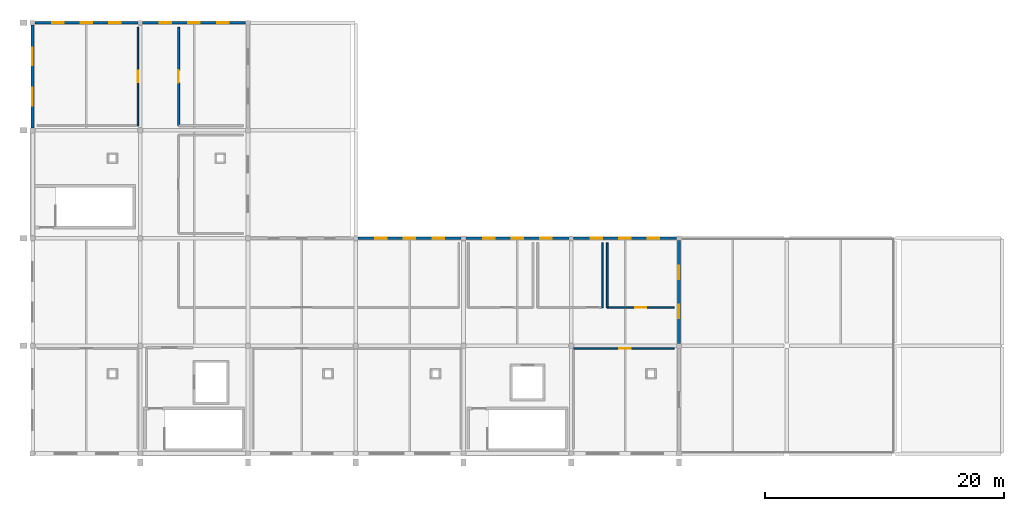
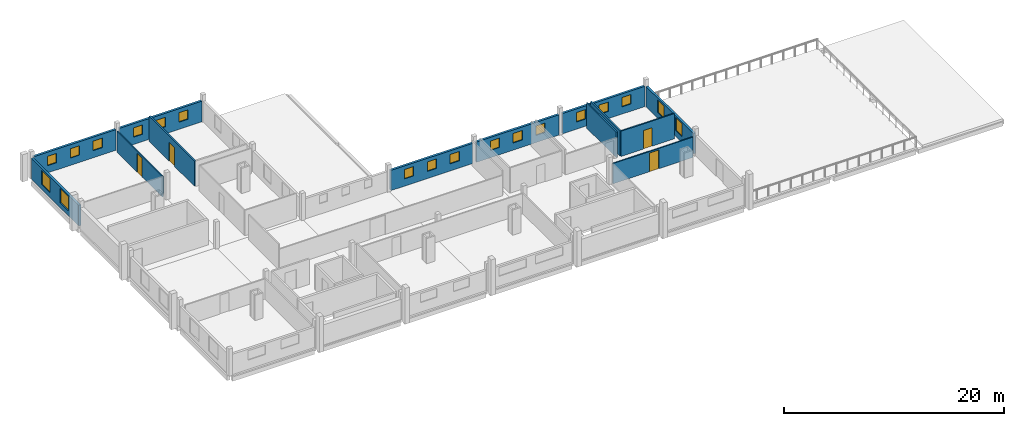
# One storey, part 4 of 6: 19 windows, 13 walls, 4 doors, 23 openings.
"""IFC4 building model written with IfcOpenShell, lengths in metres."""

from ifc_helpers import new_model, si_unit, direction, frame, frame_2d, origin, place, context, subcontext, project, spatial, rectangle, extrude, material, layer, layer_set, type_object, element, fill, save


model = new_model("IFC4")

# Units and contexts
model_context = context("Model", 3, precision=1e-05, world=origin(), true_north=direction((0.0, 1.0)))
body_context = subcontext(model_context, "Body", "Model", "MODEL_VIEW")
ifc_project = project(units=[si_unit("LENGTHUNIT", "METRE"), si_unit("AREAUNIT", "SQUARE_METRE"), si_unit("VOLUMEUNIT", "CUBIC_METRE"), si_unit("PLANEANGLEUNIT", "RADIAN"), si_unit("MASSUNIT", "GRAM", prefix="KILO")], contexts=[model_context])

# Site, building, storey
site_placement = place(None, origin())
site = spatial("IfcSite", under=ifc_project, at=site_placement, CompositionType="ELEMENT")
building_placement = place(site_placement, origin())
building = spatial("IfcBuilding", under=site, at=building_placement, Name="Tharagai Park Tramway Depot", CompositionType="ELEMENT")
storey_placement = place(building_placement, frame((0.0, 0.0, 15.0)))
storey = spatial("IfcBuildingStorey", under=building, at=storey_placement, Name="L04", CompositionType="ELEMENT", Elevation=15.0)

# Wall, openings, windows
ifc_material_1 = material(Name="Pressed clay brick", Category="masonry")
ifc_layer_1 = layer(ifc_material_1, 0.22998046875)
ifc_layer_set_1 = layer_set([ifc_layer_1], Name="Pressed clay brick")
wall_type_1 = type_object("IfcWallType", Name="EW-06", PredefinedType="SOLIDWALL", material=ifc_layer_set_1)
wall_1_placement = place(storey_placement, frame((27.197998046875, 18.0, 0.0), z_axis=(0.0, 0.0, 1.0), x_axis=(1.0, 0.0, 0.0)))
wall_1 = element("IfcWall", 1, at=wall_1_placement, inside=storey, type_object=wall_type_1, Name="L04 V4 Exterior Masonry Wall EW-06", PredefinedType="SOLIDWALL", context=body_context, shape_type="SweptSolid", body=[
    extrude(rectangle(XDim=8.60400390625, YDim=0.22998046875, at=frame_2d((4.302001953125, 0.0))), origin(), (0.0, 0.0, 1.0), 2.241943359375),
])
opening_1_placement = place(wall_1_placement, frame((1.430908203125, 0.0, 0.800048828125)))
opening_1 = element("IfcOpeningElement", 2, at=opening_1_placement, cuts=wall_1, Name="Opening WN-51", PredefinedType="OPENING", context=body_context, shape_type="SweptSolid", body=[
    extrude(rectangle(XDim=0.9599609375, YDim=1.0400390625, at=frame_2d((0.47998046875, 0.52001953125))), frame((0.0, 0.125, 0.0), z_axis=(0.0, -1.0, 0.0), x_axis=(1.0, 0.0, 0.0)), (0.0, 0.0, 1.0), 0.25),
])
opening_2_placement = place(wall_1_placement, frame((3.822021484375, 0.0, 0.800048828125)))
opening_2 = element("IfcOpeningElement", 3, at=opening_2_placement, cuts=wall_1, Name="Opening WN-51", PredefinedType="OPENING", context=body_context, shape_type="SweptSolid", body=[
    extrude(rectangle(XDim=0.9599609375, YDim=1.0400390625, at=frame_2d((0.47998046875, 0.52001953125))), frame((0.0, 0.125, 0.0), z_axis=(0.0, -1.0, 0.0), x_axis=(1.0, 0.0, 0.0)), (0.0, 0.0, 1.0), 0.25),
])
opening_3_placement = place(wall_1_placement, frame((6.212890625, 0.0, 0.800048828125)))
opening_3 = element("IfcOpeningElement", 4, at=opening_3_placement, cuts=wall_1, Name="Opening WN-51", PredefinedType="OPENING", context=body_context, shape_type="SweptSolid", body=[
    extrude(rectangle(XDim=0.9599609375, YDim=1.0400390625, at=frame_2d((0.47998046875, 0.52001953125))), frame((0.0, 0.125, 0.0), z_axis=(0.0, -1.0, 0.0), x_axis=(1.0, 0.0, 0.0)), (0.0, 0.0, 1.0), 0.25),
])
ifc_material_2 = material(Name="Laminated solar-control glass", Category="glass")
window_type_1 = type_object("IfcWindowType", Name="WN-51", PartitioningType="SINGLE_PANEL", PredefinedType="WINDOW", material=ifc_material_2)
window_1_placement = place(opening_1_placement, origin())
window_1 = element("IfcWindow", 5, at=window_1_placement, inside=storey, type_object=window_type_1, Name="L04 V4 Gothic Lancet Window WN-51", OverallHeight=1.0400390625, OverallWidth=0.9599609375, PartitioningType="SINGLE_PANEL", PredefinedType="WINDOW", context=body_context, shape_type="SweptSolid", body=[
    extrude(rectangle(XDim=0.9599609375, YDim=1.0400390625, at=frame_2d((0.47998046875, 0.52001953125))), frame((0.0, 0.030029296875, 0.0), z_axis=(0.0, -1.0, 0.0), x_axis=(1.0, 0.0, 0.0)), (0.0, 0.0, 1.0), 0.06005859375),
])
fill(opening_1, window_1)
window_2_placement = place(opening_2_placement, origin())
window_2 = element("IfcWindow", 6, at=window_2_placement, inside=storey, type_object=window_type_1, Name="L04 V4 Gothic Lancet Window WN-51", OverallHeight=1.0400390625, OverallWidth=0.9599609375, PartitioningType="SINGLE_PANEL", PredefinedType="WINDOW", context=body_context, shape_type="SweptSolid", body=[
    extrude(rectangle(XDim=0.9599609375, YDim=1.0400390625, at=frame_2d((0.47998046875, 0.52001953125))), frame((0.0, 0.030029296875, 0.0), z_axis=(0.0, -1.0, 0.0), x_axis=(1.0, 0.0, 0.0)), (0.0, 0.0, 1.0), 0.06005859375),
])
fill(opening_2, window_2)
window_3_placement = place(opening_3_placement, origin())
window_3 = element("IfcWindow", 7, at=window_3_placement, inside=storey, type_object=window_type_1, Name="L04 V4 Gothic Lancet Window WN-51", OverallHeight=1.0400390625, OverallWidth=0.9599609375, PartitioningType="SINGLE_PANEL", PredefinedType="WINDOW", context=body_context, shape_type="SweptSolid", body=[
    extrude(rectangle(XDim=0.9599609375, YDim=1.0400390625, at=frame_2d((0.47998046875, 0.52001953125))), frame((0.0, 0.030029296875, 0.0), z_axis=(0.0, -1.0, 0.0), x_axis=(1.0, 0.0, 0.0)), (0.0, 0.0, 1.0), 0.06005859375),
])
fill(opening_3, window_3)

wall_2_placement = place(storey_placement, frame((36.197998046875, 18.0, 0.0), z_axis=(0.0, 0.0, 1.0), x_axis=(1.0, 0.0, 0.0)))
wall_2 = element("IfcWall", 8, at=wall_2_placement, inside=storey, type_object=wall_type_1, Name="L04 V4 Exterior Masonry Wall EW-06", PredefinedType="SOLIDWALL", context=body_context, shape_type="SweptSolid", body=[
    extrude(rectangle(XDim=8.60400390625, YDim=0.22998046875, at=frame_2d((4.302001953125, 0.0))), origin(), (0.0, 0.0, 1.0), 2.241943359375),
])
opening_4_placement = place(wall_2_placement, frame((1.430908203125, 0.0, 0.800048828125)))
opening_4 = element("IfcOpeningElement", 9, at=opening_4_placement, cuts=wall_2, Name="Opening WN-51", PredefinedType="OPENING", context=body_context, shape_type="SweptSolid", body=[
    extrude(rectangle(XDim=0.9599609375, YDim=1.0400390625, at=frame_2d((0.47998046875, 0.52001953125))), frame((0.0, 0.125, 0.0), z_axis=(0.0, -1.0, 0.0), x_axis=(1.0, 0.0, 0.0)), (0.0, 0.0, 1.0), 0.25),
])
opening_5_placement = place(wall_2_placement, frame((3.822021484375, 0.0, 0.800048828125)))
opening_5 = element("IfcOpeningElement", 10, at=opening_5_placement, cuts=wall_2, Name="Opening WN-51", PredefinedType="OPENING", context=body_context, shape_type="SweptSolid", body=[
    extrude(rectangle(XDim=0.9599609375, YDim=1.0400390625, at=frame_2d((0.47998046875, 0.52001953125))), frame((0.0, 0.125, 0.0), z_axis=(0.0, -1.0, 0.0), x_axis=(1.0, 0.0, 0.0)), (0.0, 0.0, 1.0), 0.25),
])
opening_6_placement = place(wall_2_placement, frame((6.212890625, 0.0, 0.800048828125)))
opening_6 = element("IfcOpeningElement", 11, at=opening_6_placement, cuts=wall_2, Name="Opening WN-51", PredefinedType="OPENING", context=body_context, shape_type="SweptSolid", body=[
    extrude(rectangle(XDim=0.9599609375, YDim=1.0400390625, at=frame_2d((0.47998046875, 0.52001953125))), frame((0.0, 0.125, 0.0), z_axis=(0.0, -1.0, 0.0), x_axis=(1.0, 0.0, 0.0)), (0.0, 0.0, 1.0), 0.25),
])
window_4_placement = place(opening_4_placement, origin())
window_4 = element("IfcWindow", 12, at=window_4_placement, inside=storey, type_object=window_type_1, Name="L04 V4 Gothic Lancet Window WN-51", OverallHeight=1.0400390625, OverallWidth=0.9599609375, PartitioningType="SINGLE_PANEL", PredefinedType="WINDOW", context=body_context, shape_type="SweptSolid", body=[
    extrude(rectangle(XDim=0.9599609375, YDim=1.0400390625, at=frame_2d((0.47998046875, 0.52001953125))), frame((0.0, 0.030029296875, 0.0), z_axis=(0.0, -1.0, 0.0), x_axis=(1.0, 0.0, 0.0)), (0.0, 0.0, 1.0), 0.06005859375),
])
fill(opening_4, window_4)
window_5_placement = place(opening_5_placement, origin())
window_5 = element("IfcWindow", 13, at=window_5_placement, inside=storey, type_object=window_type_1, Name="L04 V4 Gothic Lancet Window WN-51", OverallHeight=1.0400390625, OverallWidth=0.9599609375, PartitioningType="SINGLE_PANEL", PredefinedType="WINDOW", context=body_context, shape_type="SweptSolid", body=[
    extrude(rectangle(XDim=0.9599609375, YDim=1.0400390625, at=frame_2d((0.47998046875, 0.52001953125))), frame((0.0, 0.030029296875, 0.0), z_axis=(0.0, -1.0, 0.0), x_axis=(1.0, 0.0, 0.0)), (0.0, 0.0, 1.0), 0.06005859375),
])
fill(opening_5, window_5)
window_6_placement = place(opening_6_placement, origin())
window_6 = element("IfcWindow", 14, at=window_6_placement, inside=storey, type_object=window_type_1, Name="L04 V4 Gothic Lancet Window WN-51", OverallHeight=1.0400390625, OverallWidth=0.9599609375, PartitioningType="SINGLE_PANEL", PredefinedType="WINDOW", context=body_context, shape_type="SweptSolid", body=[
    extrude(rectangle(XDim=0.9599609375, YDim=1.0400390625, at=frame_2d((0.47998046875, 0.52001953125))), frame((0.0, 0.030029296875, 0.0), z_axis=(0.0, -1.0, 0.0), x_axis=(1.0, 0.0, 0.0)), (0.0, 0.0, 1.0), 0.06005859375),
])
fill(opening_6, window_6)

wall_3_placement = place(storey_placement, frame((45.197998046875, 18.0, 0.0), z_axis=(0.0, 0.0, 1.0), x_axis=(1.0, 0.0, 0.0)))
wall_3 = element("IfcWall", 15, at=wall_3_placement, inside=storey, type_object=wall_type_1, Name="L04 V4 Exterior Masonry Wall EW-06", PredefinedType="SOLIDWALL", context=body_context, shape_type="SweptSolid", body=[
    extrude(rectangle(XDim=8.60400390625, YDim=0.22998046875, at=frame_2d((4.302001953125, 0.0))), origin(), (0.0, 0.0, 1.0), 2.241943359375),
])
opening_7_placement = place(wall_3_placement, frame((1.430908203125, 0.0, 0.800048828125)))
opening_7 = element("IfcOpeningElement", 16, at=opening_7_placement, cuts=wall_3, Name="Opening WN-51", PredefinedType="OPENING", context=body_context, shape_type="SweptSolid", body=[
    extrude(rectangle(XDim=0.9599609375, YDim=1.0400390625, at=frame_2d((0.47998046875, 0.52001953125))), frame((0.0, 0.125, 0.0), z_axis=(0.0, -1.0, 0.0), x_axis=(1.0, 0.0, 0.0)), (0.0, 0.0, 1.0), 0.25),
])
opening_8_placement = place(wall_3_placement, frame((3.822021484375, 0.0, 0.800048828125)))
opening_8 = element("IfcOpeningElement", 17, at=opening_8_placement, cuts=wall_3, Name="Opening WN-51", PredefinedType="OPENING", context=body_context, shape_type="SweptSolid", body=[
    extrude(rectangle(XDim=0.9599609375, YDim=1.0400390625, at=frame_2d((0.47998046875, 0.52001953125))), frame((0.0, 0.125, 0.0), z_axis=(0.0, -1.0, 0.0), x_axis=(1.0, 0.0, 0.0)), (0.0, 0.0, 1.0), 0.25),
])
opening_9_placement = place(wall_3_placement, frame((6.212890625, 0.0, 0.800048828125)))
opening_9 = element("IfcOpeningElement", 18, at=opening_9_placement, cuts=wall_3, Name="Opening WN-51", PredefinedType="OPENING", context=body_context, shape_type="SweptSolid", body=[
    extrude(rectangle(XDim=0.9599609375, YDim=1.0400390625, at=frame_2d((0.47998046875, 0.52001953125))), frame((0.0, 0.125, 0.0), z_axis=(0.0, -1.0, 0.0), x_axis=(1.0, 0.0, 0.0)), (0.0, 0.0, 1.0), 0.25),
])
window_7_placement = place(opening_7_placement, origin())
window_7 = element("IfcWindow", 19, at=window_7_placement, inside=storey, type_object=window_type_1, Name="L04 V4 Gothic Lancet Window WN-51", OverallHeight=1.0400390625, OverallWidth=0.9599609375, PartitioningType="SINGLE_PANEL", PredefinedType="WINDOW", context=body_context, shape_type="SweptSolid", body=[
    extrude(rectangle(XDim=0.9599609375, YDim=1.0400390625, at=frame_2d((0.47998046875, 0.52001953125))), frame((0.0, 0.030029296875, 0.0), z_axis=(0.0, -1.0, 0.0), x_axis=(1.0, 0.0, 0.0)), (0.0, 0.0, 1.0), 0.06005859375),
])
fill(opening_7, window_7)
window_8_placement = place(opening_8_placement, origin())
window_8 = element("IfcWindow", 20, at=window_8_placement, inside=storey, type_object=window_type_1, Name="L04 V4 Gothic Lancet Window WN-51", OverallHeight=1.0400390625, OverallWidth=0.9599609375, PartitioningType="SINGLE_PANEL", PredefinedType="WINDOW", context=body_context, shape_type="SweptSolid", body=[
    extrude(rectangle(XDim=0.9599609375, YDim=1.0400390625, at=frame_2d((0.47998046875, 0.52001953125))), frame((0.0, 0.030029296875, 0.0), z_axis=(0.0, -1.0, 0.0), x_axis=(1.0, 0.0, 0.0)), (0.0, 0.0, 1.0), 0.06005859375),
])
fill(opening_8, window_8)
window_9_placement = place(opening_9_placement, origin())
window_9 = element("IfcWindow", 21, at=window_9_placement, inside=storey, type_object=window_type_1, Name="L04 V4 Gothic Lancet Window WN-51", OverallHeight=1.0400390625, OverallWidth=0.9599609375, PartitioningType="SINGLE_PANEL", PredefinedType="WINDOW", context=body_context, shape_type="SweptSolid", body=[
    extrude(rectangle(XDim=0.9599609375, YDim=1.0400390625, at=frame_2d((0.47998046875, 0.52001953125))), frame((0.0, 0.030029296875, 0.0), z_axis=(0.0, -1.0, 0.0), x_axis=(1.0, 0.0, 0.0)), (0.0, 0.0, 1.0), 0.06005859375),
])
fill(opening_9, window_9)

wall_4_placement = place(storey_placement, frame((0.197998046875, 36.0, 0.0), z_axis=(0.0, 0.0, 1.0), x_axis=(1.0, 0.0, 0.0)))
wall_4 = element("IfcWall", 22, at=wall_4_placement, inside=storey, type_object=wall_type_1, Name="L04 V4 Exterior Masonry Wall EW-06", PredefinedType="SOLIDWALL", context=body_context, shape_type="SweptSolid", body=[
    extrude(rectangle(XDim=8.60400390625, YDim=0.22998046875, at=frame_2d((4.302001953125, 0.0))), origin(), (0.0, 0.0, 1.0), 2.2919921875),
])
opening_10_placement = place(wall_4_placement, frame((1.430908203125, 0.0, 0.800048828125)))
opening_10 = element("IfcOpeningElement", 23, at=opening_10_placement, cuts=wall_4, Name="Opening WN-51", PredefinedType="OPENING", context=body_context, shape_type="SweptSolid", body=[
    extrude(rectangle(XDim=0.9599609375, YDim=1.0400390625, at=frame_2d((0.47998046875, 0.52001953125))), frame((0.0, 0.125, 0.0), z_axis=(0.0, -1.0, 0.0), x_axis=(1.0, 0.0, 0.0)), (0.0, 0.0, 1.0), 0.25),
])
opening_11_placement = place(wall_4_placement, frame((3.822021484375, 0.0, 0.800048828125)))
opening_11 = element("IfcOpeningElement", 24, at=opening_11_placement, cuts=wall_4, Name="Opening WN-51", PredefinedType="OPENING", context=body_context, shape_type="SweptSolid", body=[
    extrude(rectangle(XDim=0.9599609375, YDim=1.0400390625, at=frame_2d((0.47998046875, 0.52001953125))), frame((0.0, 0.125, 0.0), z_axis=(0.0, -1.0, 0.0), x_axis=(1.0, 0.0, 0.0)), (0.0, 0.0, 1.0), 0.25),
])
opening_12_placement = place(wall_4_placement, frame((6.212890625, 0.0, 0.800048828125)))
opening_12 = element("IfcOpeningElement", 25, at=opening_12_placement, cuts=wall_4, Name="Opening WN-51", PredefinedType="OPENING", context=body_context, shape_type="SweptSolid", body=[
    extrude(rectangle(XDim=0.9599609375, YDim=1.0400390625, at=frame_2d((0.47998046875, 0.52001953125))), frame((0.0, 0.125, 0.0), z_axis=(0.0, -1.0, 0.0), x_axis=(1.0, 0.0, 0.0)), (0.0, 0.0, 1.0), 0.25),
])
window_10_placement = place(opening_10_placement, origin())
window_10 = element("IfcWindow", 26, at=window_10_placement, inside=storey, type_object=window_type_1, Name="L04 V4 Gothic Lancet Window WN-51", OverallHeight=1.0400390625, OverallWidth=0.9599609375, PartitioningType="SINGLE_PANEL", PredefinedType="WINDOW", context=body_context, shape_type="SweptSolid", body=[
    extrude(rectangle(XDim=0.9599609375, YDim=1.0400390625, at=frame_2d((0.47998046875, 0.52001953125))), frame((0.0, 0.030029296875, 0.0), z_axis=(0.0, -1.0, 0.0), x_axis=(1.0, 0.0, 0.0)), (0.0, 0.0, 1.0), 0.06005859375),
])
fill(opening_10, window_10)
window_11_placement = place(opening_11_placement, origin())
window_11 = element("IfcWindow", 27, at=window_11_placement, inside=storey, type_object=window_type_1, Name="L04 V4 Gothic Lancet Window WN-51", OverallHeight=1.0400390625, OverallWidth=0.9599609375, PartitioningType="SINGLE_PANEL", PredefinedType="WINDOW", context=body_context, shape_type="SweptSolid", body=[
    extrude(rectangle(XDim=0.9599609375, YDim=1.0400390625, at=frame_2d((0.47998046875, 0.52001953125))), frame((0.0, 0.030029296875, 0.0), z_axis=(0.0, -1.0, 0.0), x_axis=(1.0, 0.0, 0.0)), (0.0, 0.0, 1.0), 0.06005859375),
])
fill(opening_11, window_11)
window_12_placement = place(opening_12_placement, origin())
window_12 = element("IfcWindow", 28, at=window_12_placement, inside=storey, type_object=window_type_1, Name="L04 V4 Gothic Lancet Window WN-51", OverallHeight=1.0400390625, OverallWidth=0.9599609375, PartitioningType="SINGLE_PANEL", PredefinedType="WINDOW", context=body_context, shape_type="SweptSolid", body=[
    extrude(rectangle(XDim=0.9599609375, YDim=1.0400390625, at=frame_2d((0.47998046875, 0.52001953125))), frame((0.0, 0.030029296875, 0.0), z_axis=(0.0, -1.0, 0.0), x_axis=(1.0, 0.0, 0.0)), (0.0, 0.0, 1.0), 0.06005859375),
])
fill(opening_12, window_12)

wall_5_placement = place(storey_placement, frame((9.197998046875, 36.0, 0.0), z_axis=(0.0, 0.0, 1.0), x_axis=(1.0, 0.0, 0.0)))
wall_5 = element("IfcWall", 29, at=wall_5_placement, inside=storey, type_object=wall_type_1, Name="L04 V4 Exterior Masonry Wall EW-06", PredefinedType="SOLIDWALL", context=body_context, shape_type="SweptSolid", body=[
    extrude(rectangle(XDim=8.60400390625, YDim=0.22998046875, at=frame_2d((4.302001953125, 0.0))), origin(), (0.0, 0.0, 1.0), 2.2919921875),
])
opening_13_placement = place(wall_5_placement, frame((1.430908203125, 0.0, 0.800048828125)))
opening_13 = element("IfcOpeningElement", 30, at=opening_13_placement, cuts=wall_5, Name="Opening WN-51", PredefinedType="OPENING", context=body_context, shape_type="SweptSolid", body=[
    extrude(rectangle(XDim=0.9599609375, YDim=1.0400390625, at=frame_2d((0.47998046875, 0.52001953125))), frame((0.0, 0.125, 0.0), z_axis=(0.0, -1.0, 0.0), x_axis=(1.0, 0.0, 0.0)), (0.0, 0.0, 1.0), 0.25),
])
opening_14_placement = place(wall_5_placement, frame((3.822021484375, 0.0, 0.800048828125)))
opening_14 = element("IfcOpeningElement", 31, at=opening_14_placement, cuts=wall_5, Name="Opening WN-51", PredefinedType="OPENING", context=body_context, shape_type="SweptSolid", body=[
    extrude(rectangle(XDim=0.9599609375, YDim=1.0400390625, at=frame_2d((0.47998046875, 0.52001953125))), frame((0.0, 0.125, 0.0), z_axis=(0.0, -1.0, 0.0), x_axis=(1.0, 0.0, 0.0)), (0.0, 0.0, 1.0), 0.25),
])
opening_15_placement = place(wall_5_placement, frame((6.212890625, 0.0, 0.800048828125)))
opening_15 = element("IfcOpeningElement", 32, at=opening_15_placement, cuts=wall_5, Name="Opening WN-51", PredefinedType="OPENING", context=body_context, shape_type="SweptSolid", body=[
    extrude(rectangle(XDim=0.9599609375, YDim=1.0400390625, at=frame_2d((0.47998046875, 0.52001953125))), frame((0.0, 0.125, 0.0), z_axis=(0.0, -1.0, 0.0), x_axis=(1.0, 0.0, 0.0)), (0.0, 0.0, 1.0), 0.25),
])
window_13_placement = place(opening_13_placement, origin())
window_13 = element("IfcWindow", 33, at=window_13_placement, inside=storey, type_object=window_type_1, Name="L04 V4 Gothic Lancet Window WN-51", OverallHeight=1.0400390625, OverallWidth=0.9599609375, PartitioningType="SINGLE_PANEL", PredefinedType="WINDOW", context=body_context, shape_type="SweptSolid", body=[
    extrude(rectangle(XDim=0.9599609375, YDim=1.0400390625, at=frame_2d((0.47998046875, 0.52001953125))), frame((0.0, 0.030029296875, 0.0), z_axis=(0.0, -1.0, 0.0), x_axis=(1.0, 0.0, 0.0)), (0.0, 0.0, 1.0), 0.06005859375),
])
fill(opening_13, window_13)
window_14_placement = place(opening_14_placement, origin())
window_14 = element("IfcWindow", 34, at=window_14_placement, inside=storey, type_object=window_type_1, Name="L04 V4 Gothic Lancet Window WN-51", OverallHeight=1.0400390625, OverallWidth=0.9599609375, PartitioningType="SINGLE_PANEL", PredefinedType="WINDOW", context=body_context, shape_type="SweptSolid", body=[
    extrude(rectangle(XDim=0.9599609375, YDim=1.0400390625, at=frame_2d((0.47998046875, 0.52001953125))), frame((0.0, 0.030029296875, 0.0), z_axis=(0.0, -1.0, 0.0), x_axis=(1.0, 0.0, 0.0)), (0.0, 0.0, 1.0), 0.06005859375),
])
fill(opening_14, window_14)
window_15_placement = place(opening_15_placement, origin())
window_15 = element("IfcWindow", 35, at=window_15_placement, inside=storey, type_object=window_type_1, Name="L04 V4 Gothic Lancet Window WN-51", OverallHeight=1.0400390625, OverallWidth=0.9599609375, PartitioningType="SINGLE_PANEL", PredefinedType="WINDOW", context=body_context, shape_type="SweptSolid", body=[
    extrude(rectangle(XDim=0.9599609375, YDim=1.0400390625, at=frame_2d((0.47998046875, 0.52001953125))), frame((0.0, 0.030029296875, 0.0), z_axis=(0.0, -1.0, 0.0), x_axis=(1.0, 0.0, 0.0)), (0.0, 0.0, 1.0), 0.06005859375),
])
fill(opening_15, window_15)

wall_6_placement = place(storey_placement, frame((0.0, 27.197998046875, 0.0), z_axis=(0.0, 0.0, 1.0), x_axis=(0.0, 1.0, 0.0)))
wall_6 = element("IfcWall", 36, at=wall_6_placement, inside=storey, type_object=wall_type_1, Name="L04 V4 Exterior Masonry Wall EW-06", PredefinedType="SOLIDWALL", context=body_context, shape_type="SweptSolid", body=[
    extrude(rectangle(XDim=8.60400390625, YDim=0.22998046875, at=frame_2d((4.302001953125, 0.0))), origin(), (0.0, 0.0, 1.0), 2.2919921875),
])
opening_16_placement = place(wall_6_placement, frame((1.881103515625, 0.0, 0.550048828125)))
opening_16 = element("IfcOpeningElement", 37, at=opening_16_placement, cuts=wall_6, Name="Opening WN-03", PredefinedType="OPENING", context=body_context, shape_type="SweptSolid", body=[
    extrude(rectangle(XDim=1.47998046875, YDim=1.56005859375, at=frame_2d((0.739990234375, 0.780029296875))), frame((0.0, 0.125, 0.0), z_axis=(0.0, -1.0, 0.0), x_axis=(1.0, 0.0, 0.0)), (0.0, 0.0, 1.0), 0.25),
])
opening_17_placement = place(wall_6_placement, frame((5.242919921875, 0.0, 0.550048828125)))
opening_17 = element("IfcOpeningElement", 38, at=opening_17_placement, cuts=wall_6, Name="Opening WN-03", PredefinedType="OPENING", context=body_context, shape_type="SweptSolid", body=[
    extrude(rectangle(XDim=1.47998046875, YDim=1.56005859375, at=frame_2d((0.739990234375, 0.780029296875))), frame((0.0, 0.125, 0.0), z_axis=(0.0, -1.0, 0.0), x_axis=(1.0, 0.0, 0.0)), (0.0, 0.0, 1.0), 0.25),
])
window_type_2 = type_object("IfcWindowType", Name="WN-03", PartitioningType="SINGLE_PANEL", PredefinedType="WINDOW", material=ifc_material_2)
window_16_placement = place(opening_16_placement, origin())
window_16 = element("IfcWindow", 39, at=window_16_placement, inside=storey, type_object=window_type_2, Name="L04 V4 Side Lancet Window WN-03", OverallHeight=1.56005859375, OverallWidth=1.47998046875, PartitioningType="SINGLE_PANEL", PredefinedType="WINDOW", context=body_context, shape_type="SweptSolid", body=[
    extrude(rectangle(XDim=1.47998046875, YDim=1.56005859375, at=frame_2d((0.739990234375, 0.780029296875))), frame((0.0, 0.030029296875, 0.0), z_axis=(0.0, -1.0, 0.0), x_axis=(1.0, 0.0, 0.0)), (0.0, 0.0, 1.0), 0.06005859375),
])
fill(opening_16, window_16)
window_17_placement = place(opening_17_placement, origin())
window_17 = element("IfcWindow", 40, at=window_17_placement, inside=storey, type_object=window_type_2, Name="L04 V4 Side Lancet Window WN-03", OverallHeight=1.56005859375, OverallWidth=1.47998046875, PartitioningType="SINGLE_PANEL", PredefinedType="WINDOW", context=body_context, shape_type="SweptSolid", body=[
    extrude(rectangle(XDim=1.47998046875, YDim=1.56005859375, at=frame_2d((0.739990234375, 0.780029296875))), frame((0.0, 0.030029296875, 0.0), z_axis=(0.0, -1.0, 0.0), x_axis=(1.0, 0.0, 0.0)), (0.0, 0.0, 1.0), 0.06005859375),
])
fill(opening_17, window_17)

wall_7_placement = place(storey_placement, frame((54.0, 9.197998046875, 0.0), z_axis=(0.0, 0.0, 1.0), x_axis=(0.0, 1.0, 0.0)))
wall_7 = element("IfcWall", 41, at=wall_7_placement, inside=storey, type_object=wall_type_1, Name="L04 V4 Exterior Masonry Wall EW-06", PredefinedType="SOLIDWALL", context=body_context, shape_type="SweptSolid", body=[
    extrude(rectangle(XDim=8.60400390625, YDim=0.22998046875, at=frame_2d((4.302001953125, 0.0))), origin(), (0.0, 0.0, 1.0), 2.241943359375),
])
opening_18_placement = place(wall_7_placement, frame((2.094970703125, 0.0, 0.659912109375)))
opening_18 = element("IfcOpeningElement", 42, at=opening_18_placement, cuts=wall_7, Name="Opening WN-42", PredefinedType="OPENING", context=body_context, shape_type="SweptSolid", body=[
    extrude(rectangle(XDim=1.159912109375, YDim=1.39990234375, at=frame_2d((0.580078125, 0.699951171875))), frame((0.0, 0.125, 0.0), z_axis=(0.0, -1.0, 0.0), x_axis=(1.0, 0.0, 0.0)), (0.0, 0.0, 1.0), 0.25),
])
opening_19_placement = place(wall_7_placement, frame((5.34912109375, 0.0, 0.659912109375)))
opening_19 = element("IfcOpeningElement", 43, at=opening_19_placement, cuts=wall_7, Name="Opening WN-42", PredefinedType="OPENING", context=body_context, shape_type="SweptSolid", body=[
    extrude(rectangle(XDim=1.159912109375, YDim=1.39990234375, at=frame_2d((0.580078125, 0.699951171875))), frame((0.0, 0.125, 0.0), z_axis=(0.0, -1.0, 0.0), x_axis=(1.0, 0.0, 0.0)), (0.0, 0.0, 1.0), 0.25),
])
window_type_3 = type_object("IfcWindowType", Name="WN-42", PartitioningType="SINGLE_PANEL", PredefinedType="WINDOW", material=ifc_material_2)
window_18_placement = place(opening_18_placement, origin())
window_18 = element("IfcWindow", 44, at=window_18_placement, inside=storey, type_object=window_type_3, Name="L04 V4 Side Lancet Window WN-42", OverallHeight=1.39990234375, OverallWidth=1.159912109375, PartitioningType="SINGLE_PANEL", PredefinedType="WINDOW", context=body_context, shape_type="SweptSolid", body=[
    extrude(rectangle(XDim=1.159912109375, YDim=1.39990234375, at=frame_2d((0.580078125, 0.699951171875))), frame((0.0, 0.030029296875, 0.0), z_axis=(0.0, -1.0, 0.0), x_axis=(1.0, 0.0, 0.0)), (0.0, 0.0, 1.0), 0.06005859375),
])
fill(opening_18, window_18)
window_19_placement = place(opening_19_placement, origin())
window_19 = element("IfcWindow", 45, at=window_19_placement, inside=storey, type_object=window_type_3, Name="L04 V4 Side Lancet Window WN-42", OverallHeight=1.39990234375, OverallWidth=1.159912109375, PartitioningType="SINGLE_PANEL", PredefinedType="WINDOW", context=body_context, shape_type="SweptSolid", body=[
    extrude(rectangle(XDim=1.159912109375, YDim=1.39990234375, at=frame_2d((0.580078125, 0.699951171875))), frame((0.0, 0.030029296875, 0.0), z_axis=(0.0, -1.0, 0.0), x_axis=(1.0, 0.0, 0.0)), (0.0, 0.0, 1.0), 0.06005859375),
])
fill(opening_19, window_19)

# Wall
ifc_layer_2 = layer(ifc_material_1, 0.139892578125)
ifc_layer_set_2 = layer_set([ifc_layer_2], Name="Pressed clay brick")
wall_type_2 = type_object("IfcWallType", Name="IW-01", PredefinedType="PARTITIONING", material=ifc_layer_set_2)
wall_8_placement = place(storey_placement, frame((47.60009765625, 12.199951171875, 0.0), z_axis=(0.0, 0.0, 1.0), x_axis=(0.0, 1.0, 0.0)))
element("IfcWall", 46, at=wall_8_placement, inside=storey, type_object=wall_type_2, Name="Fourth Floor Female WC Partition East", PredefinedType="PARTITIONING", context=body_context, shape_type="SweptSolid", body=[
    extrude(rectangle(XDim=5.400146484375, YDim=0.139892578125, at=frame_2d((2.7001953125, 0.0))), origin(), (0.0, 0.0, 1.0), 2.7900390625),
])

# Wall, opening, door
wall_9_placement = place(storey_placement, frame((48.0, 12.199951171875, 0.0), z_axis=(0.0, 0.0, 1.0), x_axis=(1.0, 0.0, 0.0)))
wall_9 = element("IfcWall", 47, at=wall_9_placement, inside=storey, type_object=wall_type_2, Name="Fourth Floor Accessible WC Partition South", PredefinedType="PARTITIONING", context=body_context, shape_type="SweptSolid", body=[
    extrude(rectangle(XDim=5.60009765625, YDim=0.139892578125, at=frame_2d((2.800048828125, 0.0))), origin(), (0.0, 0.0, 1.0), 2.7900390625),
])
opening_20_placement = place(wall_9_placement, frame((2.344970703125, 0.0, 0.0)))
opening_20 = element("IfcOpeningElement", 48, at=opening_20_placement, cuts=wall_9, Name="Opening ID-08", PredefinedType="OPENING", context=body_context, shape_type="SweptSolid", body=[
    extrude(rectangle(XDim=0.909912109375, YDim=2.0400390625, at=frame_2d((0.455078125, 1.02001953125))), frame((0.0, 0.079833984375, 0.0), z_axis=(0.0, -1.0, 0.0), x_axis=(1.0, 0.0, 0.0)), (0.0, 0.0, 1.0), 0.159912109375),
])
ifc_material_3 = material(Name="Pressed timber", Category="wood")
door_type_1 = type_object("IfcDoorType", Name="ID-08", OperationType="NOTDEFINED", PredefinedType="DOOR", material=ifc_material_3)
door_1_placement = place(opening_20_placement, frame((0.909912109375, 0.0, 0.0), z_axis=(0.0, 0.0, 1.0), x_axis=(-1.0, 0.0, 0.0)))
door_1 = element("IfcDoor", 49, at=door_1_placement, inside=storey, type_object=door_type_1, Name="Fourth Floor Accessible WC Door", OperationType="SINGLE_SWING_RIGHT", OverallHeight=2.0400390625, OverallWidth=0.909912109375, PredefinedType="DOOR", context=body_context, shape_type="SweptSolid", body=[
    extrude(rectangle(XDim=0.909912109375, YDim=2.0400390625, at=frame_2d((0.455078125, 1.02001953125))), frame((0.0, 0.02490234375, 0.0), z_axis=(0.0, -1.0, 0.0), x_axis=(1.0, 0.0, 0.0)), (0.0, 0.0, 1.0), 0.050048828125),
])
fill(opening_20, door_1)

# Wall
wall_10_placement = place(storey_placement, frame((48.0, 12.199951171875, 0.0), z_axis=(0.0, 0.0, 1.0), x_axis=(0.0, 1.0, 0.0)))
element("IfcWall", 50, at=wall_10_placement, inside=storey, type_object=wall_type_2, Name="Fourth Floor Accessible WC Partition West", PredefinedType="PARTITIONING", context=body_context, shape_type="SweptSolid", body=[
    extrude(rectangle(XDim=5.400146484375, YDim=0.139892578125, at=frame_2d((2.7001953125, 0.0))), origin(), (0.0, 0.0, 1.0), 2.7900390625),
])

# Wall, opening, door
ifc_layer_3 = layer(ifc_material_1, 0.159912109375)
ifc_layer_set_3 = layer_set([ifc_layer_3], Name="Pressed clay brick")
wall_type_3 = type_object("IfcWallType", Name="IW-02", PredefinedType="PARTITIONING", material=ifc_layer_set_3)
wall_11_placement = place(storey_placement, frame((12.199951171875, 27.39990234375, 0.0), z_axis=(0.0, 0.0, 1.0), x_axis=(0.0, 1.0, 0.0)))
wall_11 = element("IfcWall", 51, at=wall_11_placement, inside=storey, type_object=wall_type_3, Name="Safety Investigation Records Room Partition West", PredefinedType="PARTITIONING", context=body_context, shape_type="SweptSolid", body=[
    extrude(rectangle(XDim=8.2001953125, YDim=0.159912109375, at=frame_2d((4.10009765625, 0.0))), origin(), (0.0, 0.0, 1.0), 2.7900390625),
])
opening_21_placement = place(wall_11_placement, frame((3.590087890625, 0.0, 0.0)))
opening_21 = element("IfcOpeningElement", 52, at=opening_21_placement, cuts=wall_11, Name="Opening ID-12", PredefinedType="OPENING", context=body_context, shape_type="SweptSolid", body=[
    extrude(rectangle(XDim=1.02001953125, YDim=2.10009765625, at=frame_2d((0.510009765625, 1.050048828125))), frame((0.0, 0.08984375, 0.0), z_axis=(0.0, -1.0, 0.0), x_axis=(1.0, 0.0, 0.0)), (0.0, 0.0, 1.0), 0.179931640625),
])
door_type_2 = type_object("IfcDoorType", Name="ID-12", OperationType="NOTDEFINED", PredefinedType="DOOR", material=ifc_material_3)
door_2_placement = place(opening_21_placement, origin())
door_2 = element("IfcDoor", 53, at=door_2_placement, inside=storey, type_object=door_type_2, Name="Safety Investigation Records Room Door", OperationType="SINGLE_SWING_RIGHT", OverallHeight=2.10009765625, OverallWidth=1.02001953125, PredefinedType="DOOR", context=body_context, shape_type="SweptSolid", body=[
    extrude(rectangle(XDim=1.02001953125, YDim=2.10009765625, at=frame_2d((0.510009765625, 1.050048828125))), frame((0.0, 0.02490234375, 0.0), z_axis=(0.0, -1.0, 0.0), x_axis=(1.0, 0.0, 0.0)), (0.0, 0.0, 1.0), 0.050048828125),
])
fill(opening_21, door_2)

ifc_material_4 = material(Name="Gypsum board", Category="gypsum")
ifc_layer_4 = layer(ifc_material_4, 0.1201171875)
ifc_layer_set_4 = layer_set([ifc_layer_4], Name="Gypsum board")
wall_type_4 = type_object("IfcWallType", Name="IW-03", PredefinedType="PARTITIONING", material=ifc_layer_set_4)
wall_12_placement = place(storey_placement, frame((45.199951171875, 8.800048828125, 0.0), z_axis=(0.0, 0.0, 1.0), x_axis=(1.0, 0.0, 0.0)))
wall_12 = element("IfcWall", 54, at=wall_12_placement, inside=storey, type_object=wall_type_4, Name="Chief Depot Engineer Office Partition North", PredefinedType="PARTITIONING", context=body_context, shape_type="SweptSolid", body=[
    extrude(rectangle(XDim=8.400146484375, YDim=0.1201171875, at=frame_2d((4.2001953125, 0.0))), origin(), (0.0, 0.0, 1.0), 2.2451171875),
])
opening_22_placement = place(wall_12_placement, frame((3.81005859375, 0.0, 0.0)))
opening_22 = element("IfcOpeningElement", 55, at=opening_22_placement, cuts=wall_12, Name="Opening ID-02", PredefinedType="OPENING", context=body_context, shape_type="SweptSolid", body=[
    extrude(rectangle(XDim=0.97998046875, YDim=2.080078125, at=frame_2d((0.489990234375, 1.0400390625))), frame((0.0, 0.070068359375, 0.0), z_axis=(0.0, -1.0, 0.0), x_axis=(1.0, 0.0, 0.0)), (0.0, 0.0, 1.0), 0.14013671875),
])
door_type_3 = type_object("IfcDoorType", Name="ID-02", OperationType="NOTDEFINED", PredefinedType="DOOR", material=ifc_material_3)
door_3_placement = place(opening_22_placement, origin())
door_3 = element("IfcDoor", 56, at=door_3_placement, inside=storey, type_object=door_type_3, Name="Chief Depot Engineer Office Door", OperationType="SINGLE_SWING_LEFT", OverallHeight=2.080078125, OverallWidth=0.97998046875, PredefinedType="DOOR", context=body_context, shape_type="SweptSolid", body=[
    extrude(rectangle(XDim=0.97998046875, YDim=2.080078125, at=frame_2d((0.489990234375, 1.0400390625))), frame((0.0, 0.02490234375, 0.0), z_axis=(0.0, -1.0, 0.0), x_axis=(1.0, 0.0, 0.0)), (0.0, 0.0, 1.0), 0.050048828125),
])
fill(opening_22, door_3)

wall_13_placement = place(storey_placement, frame((8.800048828125, 27.39990234375, 0.0), z_axis=(0.0, 0.0, 1.0), x_axis=(0.0, 1.0, 0.0)))
wall_13 = element("IfcWall", 57, at=wall_13_placement, inside=storey, type_object=wall_type_4, Name="Staff Beverage Pantry Partition East", PredefinedType="PARTITIONING", context=body_context, shape_type="SweptSolid", body=[
    extrude(rectangle(XDim=8.2001953125, YDim=0.1201171875, at=frame_2d((4.10009765625, 0.0))), origin(), (0.0, 0.0, 1.0), 2.294921875),
])
opening_23_placement = place(wall_13_placement, frame((3.6298828125, 0.0, 0.0)))
opening_23 = element("IfcOpeningElement", 58, at=opening_23_placement, cuts=wall_13, Name="Opening ID-03", PredefinedType="OPENING", context=body_context, shape_type="SweptSolid", body=[
    extrude(rectangle(XDim=0.93994140625, YDim=2.06005859375, at=frame_2d((0.469970703125, 1.030029296875))), frame((0.0, 0.070068359375, 0.0), z_axis=(0.0, -1.0, 0.0), x_axis=(1.0, 0.0, 0.0)), (0.0, 0.0, 1.0), 0.14013671875),
])
door_type_4 = type_object("IfcDoorType", Name="ID-03", OperationType="NOTDEFINED", PredefinedType="DOOR", material=ifc_material_3)
door_4_placement = place(opening_23_placement, frame((0.93994140625, 0.0, 0.0), z_axis=(0.0, 0.0, 1.0), x_axis=(-1.0, 0.0, 0.0)))
door_4 = element("IfcDoor", 59, at=door_4_placement, inside=storey, type_object=door_type_4, Name="Staff Beverage Pantry Door", OperationType="SINGLE_SWING_LEFT", OverallHeight=2.06005859375, OverallWidth=0.93994140625, PredefinedType="DOOR", context=body_context, shape_type="SweptSolid", body=[
    extrude(rectangle(XDim=0.93994140625, YDim=2.06005859375, at=frame_2d((0.469970703125, 1.030029296875))), frame((0.0, 0.02490234375, 0.0), z_axis=(0.0, -1.0, 0.0), x_axis=(1.0, 0.0, 0.0)), (0.0, 0.0, 1.0), 0.050048828125),
])
fill(opening_23, door_4)

save(model, "model.ifc")
